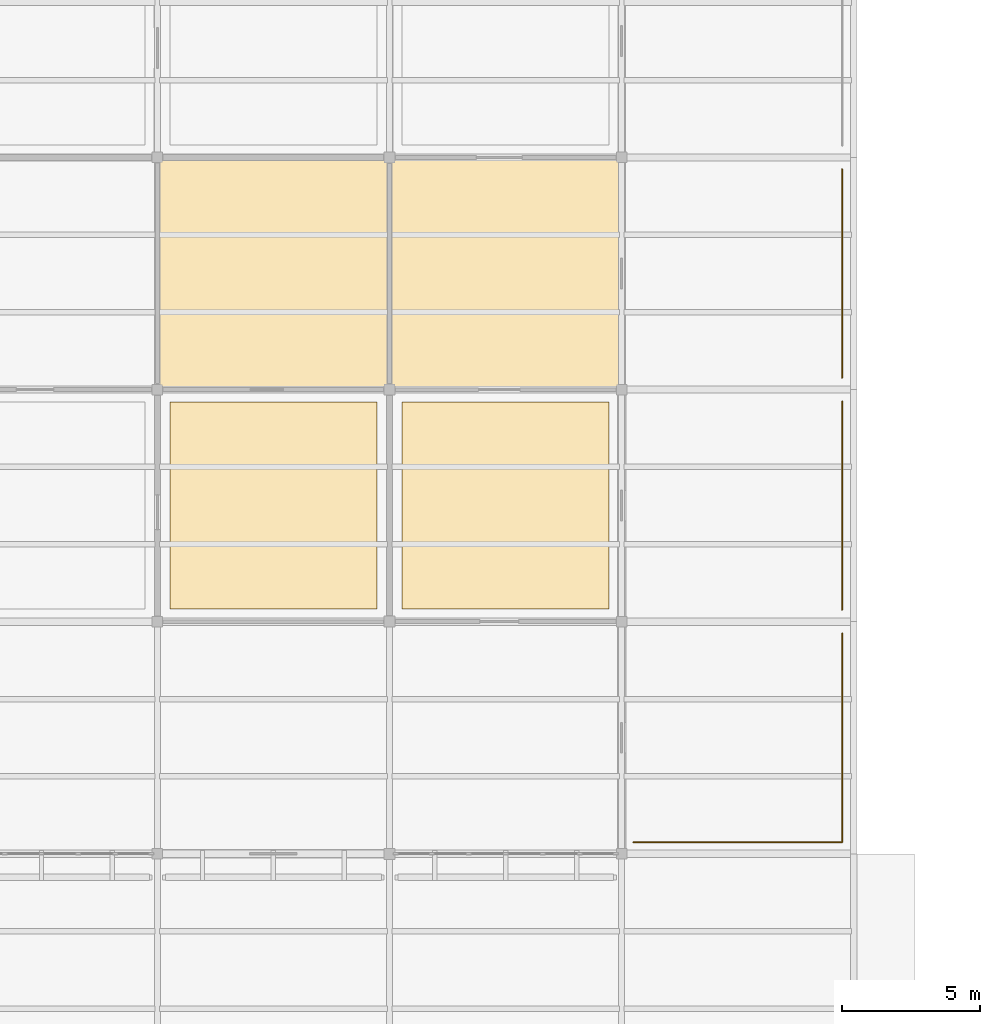
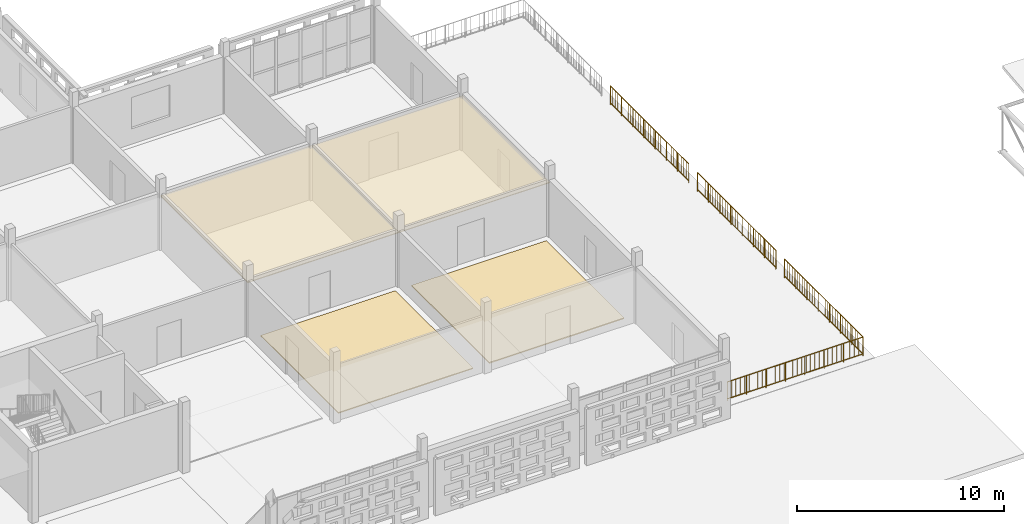
# One storey, part 100 of 140: 4 coverings, 4 railings.
"""IFC4 building model written with IfcOpenShell, lengths in metres."""

from ifc_helpers import new_model, si_unit, direction, frame, origin, origin_2d, place, context, subcontext, project, spatial, rectangle, circle, extrude, material, layer, layer_set, type_object, element, save


model = new_model("IFC4")

# Units and contexts
model_context = context("Model", 3, precision=1e-05, world=origin(), true_north=direction((0.0, 1.0)))
body_context = subcontext(model_context, "Body", "Model", "MODEL_VIEW")
ifc_project = project(units=[si_unit("LENGTHUNIT", "METRE"), si_unit("AREAUNIT", "SQUARE_METRE"), si_unit("VOLUMEUNIT", "CUBIC_METRE"), si_unit("PLANEANGLEUNIT", "RADIAN"), si_unit("MASSUNIT", "GRAM", prefix="KILO")], contexts=[model_context])

# Site, building, storey
site_placement = place(None, origin())
site = spatial("IfcSite", under=ifc_project, at=site_placement, CompositionType="ELEMENT")
building_placement = place(site_placement, origin())
building = spatial("IfcBuilding", under=site, at=building_placement, Name="Varnapada Polytechnic", CompositionType="ELEMENT")
storey_placement = place(building_placement, frame((0.0, 0.0, 13.800048828125)))
storey = spatial("IfcBuildingStorey", under=building, at=storey_placement, Name="L03", CompositionType="ELEMENT", Elevation=13.800048828125)

# Coverings
ifc_material_1 = material(Name="Anti-Static Raised Laboratory Flooring")
ifc_layer_1 = layer(ifc_material_1, 0.06005859375)
ifc_layer_set_1 = layer_set([ifc_layer_1], Name="Anti-Static Raised Laboratory Flooring")
covering_type_1 = type_object("IfcCoveringType", Name="Floor Finish FLR-02", PredefinedType="FLOORING", material=ifc_layer_set_1)
covering_1_placement = place(storey_placement, frame((46.199951171875, 21.0, 0.0), z_axis=(0.0, 0.0, 1.0), x_axis=(1.0, 0.0, 0.0)))
element("IfcCovering", 1, at=covering_1_placement, inside=storey, type_object=covering_type_1, Name="L03 floor finish panel (6,3)", PredefinedType="FLOORING", context=body_context, shape_type="SweptSolid", body=[
    extrude(rectangle(XDim=7.5, YDim=7.5, at=origin_2d()), origin(), (0.0, 0.0, 1.0), 0.06005859375),
])
ifc_material_2 = material(Name="End-Grain Timber Studio Block Flooring", Category="wood")
ifc_layer_2 = layer(ifc_material_2, 0.054931640625)
ifc_layer_set_2 = layer_set([ifc_layer_2], Name="End-Grain Timber Studio Block Flooring")
covering_type_2 = type_object("IfcCoveringType", Name="Floor Finish FLR-04", PredefinedType="FLOORING", material=ifc_layer_set_2)
covering_2_placement = place(storey_placement, frame((37.800048828125, 21.0, 0.0), z_axis=(0.0, 0.0, 1.0), x_axis=(1.0, 0.0, 0.0)))
element("IfcCovering", 2, at=covering_2_placement, inside=storey, type_object=covering_type_2, Name="L03 floor finish panel (5,3)", PredefinedType="FLOORING", context=body_context, shape_type="SweptSolid", body=[
    extrude(rectangle(XDim=7.5, YDim=7.5, at=origin_2d()), origin(), (0.0, 0.0, 1.0), 0.054931640625),
])
ifc_material_3 = material(Name="Mineral Fibre Acoustic Ceiling Tile")
ifc_layer_3 = layer(ifc_material_3, 0.0400390625)
ifc_layer_set_3 = layer_set([ifc_layer_3], Name="Mineral Fibre Acoustic Ceiling Tile")
covering_type_3 = type_object("IfcCoveringType", Name="Suspended Ceiling CLG-01", PredefinedType="CEILING", material=ifc_layer_set_3)
covering_3_placement = place(storey_placement, frame((46.199951171875, 29.39990234375, 3.030029296875), z_axis=(0.0, 0.0, 1.0), x_axis=(1.0, 0.0, 0.0)))
element("IfcCovering", 3, at=covering_3_placement, inside=storey, type_object=covering_type_3, Name="L03 suspended acoustic ceiling (6,4)", PredefinedType="CEILING", context=body_context, shape_type="SweptSolid", body=[
    extrude(rectangle(XDim=8.419921875, YDim=8.419921875, at=origin_2d()), origin(), (0.0, 0.0, 1.0), 0.0400390625),
])
ifc_material_4 = material(Name="Micro-Perforated Gypsum Acoustic Ceiling")
ifc_layer_4 = layer(ifc_material_4, 0.044921875)
ifc_layer_set_4 = layer_set([ifc_layer_4], Name="Micro-Perforated Gypsum Acoustic Ceiling")
covering_type_4 = type_object("IfcCoveringType", Name="Suspended Ceiling CLG-04", PredefinedType="CEILING", material=ifc_layer_set_4)
covering_4_placement = place(storey_placement, frame((37.800048828125, 29.39990234375, 3.027587890625), z_axis=(0.0, 0.0, 1.0), x_axis=(1.0, 0.0, 0.0)))
element("IfcCovering", 4, at=covering_4_placement, inside=storey, type_object=covering_type_4, Name="L03 suspended acoustic ceiling (5,4)", PredefinedType="CEILING", context=body_context, shape_type="SweptSolid", body=[
    extrude(rectangle(XDim=8.419921875, YDim=8.419921875, at=origin_2d()), origin(), (0.0, 0.0, 1.0), 0.044921875),
])

# Railings
ifc_material_5 = material(Name="Painted galvanized steel", Category="steel")
railing_type = type_object("IfcRailingType", Name="Terrace Guard Rail GRD-01", PredefinedType="BALUSTRADE", material=ifc_material_5)
railing_1_placement = place(storey_placement, frame((50.820068359375, 8.820068359375, 0.0)))
element("IfcRailing", 5, at=railing_1_placement, inside=storey, type_object=railing_type, Name="L03 terrace perimeter guard rail 1", PredefinedType="BALUSTRADE", context=body_context, shape_type="SweptSolid", body=[
    extrude(circle(Radius=0.02392578125, at=origin_2d()), frame((0.0, 0.0, 1.09619140625), z_axis=(1.0, 0.0, 0.0), x_axis=(0.0, 1.0, 0.0)), (0.0, 0.0, 1.0), 7.559814453125),
    extrude(circle(Radius=0.02392578125, at=origin_2d()), frame((0.0, 0.0, 0.10009765625), z_axis=(1.0, 0.0, 0.0), x_axis=(0.0, 1.0, 0.0)), (0.0, 0.0, 1.0), 7.559814453125),
    extrude(circle(Radius=0.02099609375, at=origin_2d()), origin(), (0.0, 0.0, 1.0), 1.072021484375),
    extrude(circle(Radius=0.02099609375, at=origin_2d()), frame((1.080078125, 0.0, 0.0)), (0.0, 0.0, 1.0), 1.072021484375),
    extrude(circle(Radius=0.02099609375, at=origin_2d()), frame((2.159912109375, 0.0, 0.0)), (0.0, 0.0, 1.0), 1.072021484375),
    extrude(circle(Radius=0.02099609375, at=origin_2d()), frame((3.239990234375, 0.0, 0.0)), (0.0, 0.0, 1.0), 1.072021484375),
    extrude(circle(Radius=0.02099609375, at=origin_2d()), frame((4.31982421875, 0.0, 0.0)), (0.0, 0.0, 1.0), 1.072021484375),
    extrude(circle(Radius=0.02099609375, at=origin_2d()), frame((5.39990234375, 0.0, 0.0)), (0.0, 0.0, 1.0), 1.072021484375),
    extrude(circle(Radius=0.02099609375, at=origin_2d()), frame((6.479736328125, 0.0, 0.0)), (0.0, 0.0, 1.0), 1.072021484375),
    extrude(circle(Radius=0.02099609375, at=origin_2d()), frame((7.559814453125, 0.0, 0.0)), (0.0, 0.0, 1.0), 1.072021484375),
    extrude(circle(Radius=0.010009765625, at=origin_2d()), frame((0.243896484375, 0.0, 0.10009765625)), (0.0, 0.0, 1.0), 0.971923828125),
    extrude(circle(Radius=0.010009765625, at=origin_2d()), frame((0.48779296875, 0.0, 0.10009765625)), (0.0, 0.0, 1.0), 0.971923828125),
    extrude(circle(Radius=0.010009765625, at=origin_2d()), frame((0.731689453125, 0.0, 0.10009765625)), (0.0, 0.0, 1.0), 0.971923828125),
    extrude(circle(Radius=0.010009765625, at=origin_2d()), frame((0.975341796875, 0.0, 0.10009765625)), (0.0, 0.0, 1.0), 0.971923828125),
    extrude(circle(Radius=0.010009765625, at=origin_2d()), frame((1.21923828125, 0.0, 0.10009765625)), (0.0, 0.0, 1.0), 0.971923828125),
    extrude(circle(Radius=0.010009765625, at=origin_2d()), frame((1.463134765625, 0.0, 0.10009765625)), (0.0, 0.0, 1.0), 0.971923828125),
    extrude(circle(Radius=0.010009765625, at=origin_2d()), frame((1.70703125, 0.0, 0.10009765625)), (0.0, 0.0, 1.0), 0.971923828125),
    extrude(circle(Radius=0.010009765625, at=origin_2d()), frame((1.950927734375, 0.0, 0.10009765625)), (0.0, 0.0, 1.0), 0.971923828125),
    extrude(circle(Radius=0.010009765625, at=origin_2d()), frame((2.19482421875, 0.0, 0.10009765625)), (0.0, 0.0, 1.0), 0.971923828125),
    extrude(circle(Radius=0.010009765625, at=origin_2d()), frame((2.438720703125, 0.0, 0.10009765625)), (0.0, 0.0, 1.0), 0.971923828125),
    extrude(circle(Radius=0.010009765625, at=origin_2d()), frame((2.6826171875, 0.0, 0.10009765625)), (0.0, 0.0, 1.0), 0.971923828125),
    extrude(circle(Radius=0.010009765625, at=origin_2d()), frame((2.92626953125, 0.0, 0.10009765625)), (0.0, 0.0, 1.0), 0.971923828125),
    extrude(circle(Radius=0.010009765625, at=origin_2d()), frame((3.170166015625, 0.0, 0.10009765625)), (0.0, 0.0, 1.0), 0.971923828125),
    extrude(circle(Radius=0.010009765625, at=origin_2d()), frame((3.4140625, 0.0, 0.10009765625)), (0.0, 0.0, 1.0), 0.971923828125),
    extrude(circle(Radius=0.010009765625, at=origin_2d()), frame((3.657958984375, 0.0, 0.10009765625)), (0.0, 0.0, 1.0), 0.971923828125),
    extrude(circle(Radius=0.010009765625, at=origin_2d()), frame((3.90185546875, 0.0, 0.10009765625)), (0.0, 0.0, 1.0), 0.971923828125),
    extrude(circle(Radius=0.010009765625, at=origin_2d()), frame((4.145751953125, 0.0, 0.10009765625)), (0.0, 0.0, 1.0), 0.971923828125),
    extrude(circle(Radius=0.010009765625, at=origin_2d()), frame((4.3896484375, 0.0, 0.10009765625)), (0.0, 0.0, 1.0), 0.971923828125),
    extrude(circle(Radius=0.010009765625, at=origin_2d()), frame((4.633544921875, 0.0, 0.10009765625)), (0.0, 0.0, 1.0), 0.971923828125),
    extrude(circle(Radius=0.010009765625, at=origin_2d()), frame((4.877197265625, 0.0, 0.10009765625)), (0.0, 0.0, 1.0), 0.971923828125),
    extrude(circle(Radius=0.010009765625, at=origin_2d()), frame((5.12109375, 0.0, 0.10009765625)), (0.0, 0.0, 1.0), 0.971923828125),
    extrude(circle(Radius=0.010009765625, at=origin_2d()), frame((5.364990234375, 0.0, 0.10009765625)), (0.0, 0.0, 1.0), 0.971923828125),
    extrude(circle(Radius=0.010009765625, at=origin_2d()), frame((5.60888671875, 0.0, 0.10009765625)), (0.0, 0.0, 1.0), 0.971923828125),
    extrude(circle(Radius=0.010009765625, at=origin_2d()), frame((5.852783203125, 0.0, 0.10009765625)), (0.0, 0.0, 1.0), 0.971923828125),
    extrude(circle(Radius=0.010009765625, at=origin_2d()), frame((6.0966796875, 0.0, 0.10009765625)), (0.0, 0.0, 1.0), 0.971923828125),
    extrude(circle(Radius=0.010009765625, at=origin_2d()), frame((6.340576171875, 0.0, 0.10009765625)), (0.0, 0.0, 1.0), 0.971923828125),
    extrude(circle(Radius=0.010009765625, at=origin_2d()), frame((6.58447265625, 0.0, 0.10009765625)), (0.0, 0.0, 1.0), 0.971923828125),
    extrude(circle(Radius=0.010009765625, at=origin_2d()), frame((6.828125, 0.0, 0.10009765625)), (0.0, 0.0, 1.0), 0.971923828125),
    extrude(circle(Radius=0.010009765625, at=origin_2d()), frame((7.072021484375, 0.0, 0.10009765625)), (0.0, 0.0, 1.0), 0.971923828125),
    extrude(circle(Radius=0.010009765625, at=origin_2d()), frame((7.31591796875, 0.0, 0.10009765625)), (0.0, 0.0, 1.0), 0.971923828125),
])
railing_2_placement = place(storey_placement, frame((58.3798828125, 8.820068359375, 0.0)))
element("IfcRailing", 6, at=railing_2_placement, inside=storey, type_object=railing_type, Name="L03 terrace perimeter guard rail 2", PredefinedType="BALUSTRADE", context=body_context, shape_type="SweptSolid", body=[
    extrude(circle(Radius=0.02392578125, at=origin_2d()), frame((0.0, 0.0, 1.09619140625), z_axis=(0.0, 1.0, 0.0), x_axis=(-1.0, 0.0, 0.0)), (0.0, 0.0, 1.0), 7.559814453125),
    extrude(circle(Radius=0.02392578125, at=origin_2d()), frame((0.0, 0.0, 0.10009765625), z_axis=(0.0, 1.0, 0.0), x_axis=(-1.0, 0.0, 0.0)), (0.0, 0.0, 1.0), 7.559814453125),
    extrude(circle(Radius=0.02099609375, at=origin_2d()), origin(), (0.0, 0.0, 1.0), 1.072021484375),
    extrude(circle(Radius=0.02099609375, at=origin_2d()), frame((0.0, 1.080078125, 0.0)), (0.0, 0.0, 1.0), 1.072021484375),
    extrude(circle(Radius=0.02099609375, at=origin_2d()), frame((0.0, 2.159912109375, 0.0)), (0.0, 0.0, 1.0), 1.072021484375),
    extrude(circle(Radius=0.02099609375, at=origin_2d()), frame((0.0, 3.239990234375, 0.0)), (0.0, 0.0, 1.0), 1.072021484375),
    extrude(circle(Radius=0.02099609375, at=origin_2d()), frame((0.0, 4.31982421875, 0.0)), (0.0, 0.0, 1.0), 1.072021484375),
    extrude(circle(Radius=0.02099609375, at=origin_2d()), frame((0.0, 5.39990234375, 0.0)), (0.0, 0.0, 1.0), 1.072021484375),
    extrude(circle(Radius=0.02099609375, at=origin_2d()), frame((0.0, 6.479736328125, 0.0)), (0.0, 0.0, 1.0), 1.072021484375),
    extrude(circle(Radius=0.02099609375, at=origin_2d()), frame((0.0, 7.559814453125, 0.0)), (0.0, 0.0, 1.0), 1.072021484375),
    extrude(circle(Radius=0.010009765625, at=origin_2d()), frame((0.0, 0.243896484375, 0.10009765625)), (0.0, 0.0, 1.0), 0.971923828125),
    extrude(circle(Radius=0.010009765625, at=origin_2d()), frame((0.0, 0.48779296875, 0.10009765625)), (0.0, 0.0, 1.0), 0.971923828125),
    extrude(circle(Radius=0.010009765625, at=origin_2d()), frame((0.0, 0.731689453125, 0.10009765625)), (0.0, 0.0, 1.0), 0.971923828125),
    extrude(circle(Radius=0.010009765625, at=origin_2d()), frame((0.0, 0.975341796875, 0.10009765625)), (0.0, 0.0, 1.0), 0.971923828125),
    extrude(circle(Radius=0.010009765625, at=origin_2d()), frame((0.0, 1.21923828125, 0.10009765625)), (0.0, 0.0, 1.0), 0.971923828125),
    extrude(circle(Radius=0.010009765625, at=origin_2d()), frame((0.0, 1.463134765625, 0.10009765625)), (0.0, 0.0, 1.0), 0.971923828125),
    extrude(circle(Radius=0.010009765625, at=origin_2d()), frame((0.0, 1.70703125, 0.10009765625)), (0.0, 0.0, 1.0), 0.971923828125),
    extrude(circle(Radius=0.010009765625, at=origin_2d()), frame((0.0, 1.950927734375, 0.10009765625)), (0.0, 0.0, 1.0), 0.971923828125),
    extrude(circle(Radius=0.010009765625, at=origin_2d()), frame((0.0, 2.19482421875, 0.10009765625)), (0.0, 0.0, 1.0), 0.971923828125),
    extrude(circle(Radius=0.010009765625, at=origin_2d()), frame((0.0, 2.438720703125, 0.10009765625)), (0.0, 0.0, 1.0), 0.971923828125),
    extrude(circle(Radius=0.010009765625, at=origin_2d()), frame((0.0, 2.6826171875, 0.10009765625)), (0.0, 0.0, 1.0), 0.971923828125),
    extrude(circle(Radius=0.010009765625, at=origin_2d()), frame((0.0, 2.92626953125, 0.10009765625)), (0.0, 0.0, 1.0), 0.971923828125),
    extrude(circle(Radius=0.010009765625, at=origin_2d()), frame((0.0, 3.170166015625, 0.10009765625)), (0.0, 0.0, 1.0), 0.971923828125),
    extrude(circle(Radius=0.010009765625, at=origin_2d()), frame((0.0, 3.4140625, 0.10009765625)), (0.0, 0.0, 1.0), 0.971923828125),
    extrude(circle(Radius=0.010009765625, at=origin_2d()), frame((0.0, 3.657958984375, 0.10009765625)), (0.0, 0.0, 1.0), 0.971923828125),
    extrude(circle(Radius=0.010009765625, at=origin_2d()), frame((0.0, 3.90185546875, 0.10009765625)), (0.0, 0.0, 1.0), 0.971923828125),
    extrude(circle(Radius=0.010009765625, at=origin_2d()), frame((0.0, 4.145751953125, 0.10009765625)), (0.0, 0.0, 1.0), 0.971923828125),
    extrude(circle(Radius=0.010009765625, at=origin_2d()), frame((0.0, 4.3896484375, 0.10009765625)), (0.0, 0.0, 1.0), 0.971923828125),
    extrude(circle(Radius=0.010009765625, at=origin_2d()), frame((0.0, 4.633544921875, 0.10009765625)), (0.0, 0.0, 1.0), 0.971923828125),
    extrude(circle(Radius=0.010009765625, at=origin_2d()), frame((0.0, 4.877197265625, 0.10009765625)), (0.0, 0.0, 1.0), 0.971923828125),
    extrude(circle(Radius=0.010009765625, at=origin_2d()), frame((0.0, 5.12109375, 0.10009765625)), (0.0, 0.0, 1.0), 0.971923828125),
    extrude(circle(Radius=0.010009765625, at=origin_2d()), frame((0.0, 5.364990234375, 0.10009765625)), (0.0, 0.0, 1.0), 0.971923828125),
    extrude(circle(Radius=0.010009765625, at=origin_2d()), frame((0.0, 5.60888671875, 0.10009765625)), (0.0, 0.0, 1.0), 0.971923828125),
    extrude(circle(Radius=0.010009765625, at=origin_2d()), frame((0.0, 5.852783203125, 0.10009765625)), (0.0, 0.0, 1.0), 0.971923828125),
    extrude(circle(Radius=0.010009765625, at=origin_2d()), frame((0.0, 6.0966796875, 0.10009765625)), (0.0, 0.0, 1.0), 0.971923828125),
    extrude(circle(Radius=0.010009765625, at=origin_2d()), frame((0.0, 6.340576171875, 0.10009765625)), (0.0, 0.0, 1.0), 0.971923828125),
    extrude(circle(Radius=0.010009765625, at=origin_2d()), frame((0.0, 6.58447265625, 0.10009765625)), (0.0, 0.0, 1.0), 0.971923828125),
    extrude(circle(Radius=0.010009765625, at=origin_2d()), frame((0.0, 6.828125, 0.10009765625)), (0.0, 0.0, 1.0), 0.971923828125),
    extrude(circle(Radius=0.010009765625, at=origin_2d()), frame((0.0, 7.072021484375, 0.10009765625)), (0.0, 0.0, 1.0), 0.971923828125),
    extrude(circle(Radius=0.010009765625, at=origin_2d()), frame((0.0, 7.31591796875, 0.10009765625)), (0.0, 0.0, 1.0), 0.971923828125),
])
railing_3_placement = place(storey_placement, frame((58.3798828125, 17.219970703125, 0.0)))
element("IfcRailing", 7, at=railing_3_placement, inside=storey, type_object=railing_type, Name="L03 terrace perimeter guard rail 3", PredefinedType="BALUSTRADE", context=body_context, shape_type="SweptSolid", body=[
    extrude(circle(Radius=0.02392578125, at=origin_2d()), frame((0.0, 0.0, 1.09619140625), z_axis=(0.0, 1.0, 0.0), x_axis=(-1.0, 0.0, 0.0)), (0.0, 0.0, 1.0), 7.56005859375),
    extrude(circle(Radius=0.02392578125, at=origin_2d()), frame((0.0, 0.0, 0.10009765625), z_axis=(0.0, 1.0, 0.0), x_axis=(-1.0, 0.0, 0.0)), (0.0, 0.0, 1.0), 7.56005859375),
    extrude(circle(Radius=0.02099609375, at=origin_2d()), origin(), (0.0, 0.0, 1.0), 1.072021484375),
    extrude(circle(Radius=0.02099609375, at=origin_2d()), frame((0.0, 1.080078125, 0.0)), (0.0, 0.0, 1.0), 1.072021484375),
    extrude(circle(Radius=0.02099609375, at=origin_2d()), frame((0.0, 2.159912109375, 0.0)), (0.0, 0.0, 1.0), 1.072021484375),
    extrude(circle(Radius=0.02099609375, at=origin_2d()), frame((0.0, 3.239990234375, 0.0)), (0.0, 0.0, 1.0), 1.072021484375),
    extrude(circle(Radius=0.02099609375, at=origin_2d()), frame((0.0, 4.320068359375, 0.0)), (0.0, 0.0, 1.0), 1.072021484375),
    extrude(circle(Radius=0.02099609375, at=origin_2d()), frame((0.0, 5.400146484375, 0.0)), (0.0, 0.0, 1.0), 1.072021484375),
    extrude(circle(Radius=0.02099609375, at=origin_2d()), frame((0.0, 6.47998046875, 0.0)), (0.0, 0.0, 1.0), 1.072021484375),
    extrude(circle(Radius=0.02099609375, at=origin_2d()), frame((0.0, 7.56005859375, 0.0)), (0.0, 0.0, 1.0), 1.072021484375),
    extrude(circle(Radius=0.010009765625, at=origin_2d()), frame((0.0, 0.243896484375, 0.10009765625)), (0.0, 0.0, 1.0), 0.971923828125),
    extrude(circle(Radius=0.010009765625, at=origin_2d()), frame((0.0, 0.48779296875, 0.10009765625)), (0.0, 0.0, 1.0), 0.971923828125),
    extrude(circle(Radius=0.010009765625, at=origin_2d()), frame((0.0, 0.731689453125, 0.10009765625)), (0.0, 0.0, 1.0), 0.971923828125),
    extrude(circle(Radius=0.010009765625, at=origin_2d()), frame((0.0, 0.9755859375, 0.10009765625)), (0.0, 0.0, 1.0), 0.971923828125),
    extrude(circle(Radius=0.010009765625, at=origin_2d()), frame((0.0, 1.219482421875, 0.10009765625)), (0.0, 0.0, 1.0), 0.971923828125),
    extrude(circle(Radius=0.010009765625, at=origin_2d()), frame((0.0, 1.463134765625, 0.10009765625)), (0.0, 0.0, 1.0), 0.971923828125),
    extrude(circle(Radius=0.010009765625, at=origin_2d()), frame((0.0, 1.70703125, 0.10009765625)), (0.0, 0.0, 1.0), 0.971923828125),
    extrude(circle(Radius=0.010009765625, at=origin_2d()), frame((0.0, 1.950927734375, 0.10009765625)), (0.0, 0.0, 1.0), 0.971923828125),
    extrude(circle(Radius=0.010009765625, at=origin_2d()), frame((0.0, 2.19482421875, 0.10009765625)), (0.0, 0.0, 1.0), 0.971923828125),
    extrude(circle(Radius=0.010009765625, at=origin_2d()), frame((0.0, 2.438720703125, 0.10009765625)), (0.0, 0.0, 1.0), 0.971923828125),
    extrude(circle(Radius=0.010009765625, at=origin_2d()), frame((0.0, 2.6826171875, 0.10009765625)), (0.0, 0.0, 1.0), 0.971923828125),
    extrude(circle(Radius=0.010009765625, at=origin_2d()), frame((0.0, 2.926513671875, 0.10009765625)), (0.0, 0.0, 1.0), 0.971923828125),
    extrude(circle(Radius=0.010009765625, at=origin_2d()), frame((0.0, 3.17041015625, 0.10009765625)), (0.0, 0.0, 1.0), 0.971923828125),
    extrude(circle(Radius=0.010009765625, at=origin_2d()), frame((0.0, 3.414306640625, 0.10009765625)), (0.0, 0.0, 1.0), 0.971923828125),
    extrude(circle(Radius=0.010009765625, at=origin_2d()), frame((0.0, 3.658203125, 0.10009765625)), (0.0, 0.0, 1.0), 0.971923828125),
    extrude(circle(Radius=0.010009765625, at=origin_2d()), frame((0.0, 3.90185546875, 0.10009765625)), (0.0, 0.0, 1.0), 0.971923828125),
    extrude(circle(Radius=0.010009765625, at=origin_2d()), frame((0.0, 4.145751953125, 0.10009765625)), (0.0, 0.0, 1.0), 0.971923828125),
    extrude(circle(Radius=0.010009765625, at=origin_2d()), frame((0.0, 4.3896484375, 0.10009765625)), (0.0, 0.0, 1.0), 0.971923828125),
    extrude(circle(Radius=0.010009765625, at=origin_2d()), frame((0.0, 4.633544921875, 0.10009765625)), (0.0, 0.0, 1.0), 0.971923828125),
    extrude(circle(Radius=0.010009765625, at=origin_2d()), frame((0.0, 4.87744140625, 0.10009765625)), (0.0, 0.0, 1.0), 0.971923828125),
    extrude(circle(Radius=0.010009765625, at=origin_2d()), frame((0.0, 5.121337890625, 0.10009765625)), (0.0, 0.0, 1.0), 0.971923828125),
    extrude(circle(Radius=0.010009765625, at=origin_2d()), frame((0.0, 5.365234375, 0.10009765625)), (0.0, 0.0, 1.0), 0.971923828125),
    extrude(circle(Radius=0.010009765625, at=origin_2d()), frame((0.0, 5.609130859375, 0.10009765625)), (0.0, 0.0, 1.0), 0.971923828125),
    extrude(circle(Radius=0.010009765625, at=origin_2d()), frame((0.0, 5.85302734375, 0.10009765625)), (0.0, 0.0, 1.0), 0.971923828125),
    extrude(circle(Radius=0.010009765625, at=origin_2d()), frame((0.0, 6.096923828125, 0.10009765625)), (0.0, 0.0, 1.0), 0.971923828125),
    extrude(circle(Radius=0.010009765625, at=origin_2d()), frame((0.0, 6.340576171875, 0.10009765625)), (0.0, 0.0, 1.0), 0.971923828125),
    extrude(circle(Radius=0.010009765625, at=origin_2d()), frame((0.0, 6.58447265625, 0.10009765625)), (0.0, 0.0, 1.0), 0.971923828125),
    extrude(circle(Radius=0.010009765625, at=origin_2d()), frame((0.0, 6.828369140625, 0.10009765625)), (0.0, 0.0, 1.0), 0.971923828125),
    extrude(circle(Radius=0.010009765625, at=origin_2d()), frame((0.0, 7.072265625, 0.10009765625)), (0.0, 0.0, 1.0), 0.971923828125),
    extrude(circle(Radius=0.010009765625, at=origin_2d()), frame((0.0, 7.316162109375, 0.10009765625)), (0.0, 0.0, 1.0), 0.971923828125),
])
railing_4_placement = place(storey_placement, frame((58.3798828125, 25.6201171875, 0.0)))
element("IfcRailing", 8, at=railing_4_placement, inside=storey, type_object=railing_type, Name="L03 terrace perimeter guard rail 4", PredefinedType="BALUSTRADE", context=body_context, shape_type="SweptSolid", body=[
    extrude(circle(Radius=0.02392578125, at=origin_2d()), frame((0.0, 0.0, 1.09619140625), z_axis=(0.0, 1.0, 0.0), x_axis=(-1.0, 0.0, 0.0)), (0.0, 0.0, 1.0), 7.559814453125),
    extrude(circle(Radius=0.02392578125, at=origin_2d()), frame((0.0, 0.0, 0.10009765625), z_axis=(0.0, 1.0, 0.0), x_axis=(-1.0, 0.0, 0.0)), (0.0, 0.0, 1.0), 7.559814453125),
    extrude(circle(Radius=0.02099609375, at=origin_2d()), origin(), (0.0, 0.0, 1.0), 1.072021484375),
    extrude(circle(Radius=0.02099609375, at=origin_2d()), frame((0.0, 1.080078125, 0.0)), (0.0, 0.0, 1.0), 1.072021484375),
    extrude(circle(Radius=0.02099609375, at=origin_2d()), frame((0.0, 2.159912109375, 0.0)), (0.0, 0.0, 1.0), 1.072021484375),
    extrude(circle(Radius=0.02099609375, at=origin_2d()), frame((0.0, 3.239990234375, 0.0)), (0.0, 0.0, 1.0), 1.072021484375),
    extrude(circle(Radius=0.02099609375, at=origin_2d()), frame((0.0, 4.31982421875, 0.0)), (0.0, 0.0, 1.0), 1.072021484375),
    extrude(circle(Radius=0.02099609375, at=origin_2d()), frame((0.0, 5.39990234375, 0.0)), (0.0, 0.0, 1.0), 1.072021484375),
    extrude(circle(Radius=0.02099609375, at=origin_2d()), frame((0.0, 6.479736328125, 0.0)), (0.0, 0.0, 1.0), 1.072021484375),
    extrude(circle(Radius=0.02099609375, at=origin_2d()), frame((0.0, 7.559814453125, 0.0)), (0.0, 0.0, 1.0), 1.072021484375),
    extrude(circle(Radius=0.010009765625, at=origin_2d()), frame((0.0, 0.243896484375, 0.10009765625)), (0.0, 0.0, 1.0), 0.971923828125),
    extrude(circle(Radius=0.010009765625, at=origin_2d()), frame((0.0, 0.48779296875, 0.10009765625)), (0.0, 0.0, 1.0), 0.971923828125),
    extrude(circle(Radius=0.010009765625, at=origin_2d()), frame((0.0, 0.731689453125, 0.10009765625)), (0.0, 0.0, 1.0), 0.971923828125),
    extrude(circle(Radius=0.010009765625, at=origin_2d()), frame((0.0, 0.975341796875, 0.10009765625)), (0.0, 0.0, 1.0), 0.971923828125),
    extrude(circle(Radius=0.010009765625, at=origin_2d()), frame((0.0, 1.21923828125, 0.10009765625)), (0.0, 0.0, 1.0), 0.971923828125),
    extrude(circle(Radius=0.010009765625, at=origin_2d()), frame((0.0, 1.463134765625, 0.10009765625)), (0.0, 0.0, 1.0), 0.971923828125),
    extrude(circle(Radius=0.010009765625, at=origin_2d()), frame((0.0, 1.70703125, 0.10009765625)), (0.0, 0.0, 1.0), 0.971923828125),
    extrude(circle(Radius=0.010009765625, at=origin_2d()), frame((0.0, 1.950927734375, 0.10009765625)), (0.0, 0.0, 1.0), 0.971923828125),
    extrude(circle(Radius=0.010009765625, at=origin_2d()), frame((0.0, 2.19482421875, 0.10009765625)), (0.0, 0.0, 1.0), 0.971923828125),
    extrude(circle(Radius=0.010009765625, at=origin_2d()), frame((0.0, 2.438720703125, 0.10009765625)), (0.0, 0.0, 1.0), 0.971923828125),
    extrude(circle(Radius=0.010009765625, at=origin_2d()), frame((0.0, 2.6826171875, 0.10009765625)), (0.0, 0.0, 1.0), 0.971923828125),
    extrude(circle(Radius=0.010009765625, at=origin_2d()), frame((0.0, 2.92626953125, 0.10009765625)), (0.0, 0.0, 1.0), 0.971923828125),
    extrude(circle(Radius=0.010009765625, at=origin_2d()), frame((0.0, 3.170166015625, 0.10009765625)), (0.0, 0.0, 1.0), 0.971923828125),
    extrude(circle(Radius=0.010009765625, at=origin_2d()), frame((0.0, 3.4140625, 0.10009765625)), (0.0, 0.0, 1.0), 0.971923828125),
    extrude(circle(Radius=0.010009765625, at=origin_2d()), frame((0.0, 3.657958984375, 0.10009765625)), (0.0, 0.0, 1.0), 0.971923828125),
    extrude(circle(Radius=0.010009765625, at=origin_2d()), frame((0.0, 3.90185546875, 0.10009765625)), (0.0, 0.0, 1.0), 0.971923828125),
    extrude(circle(Radius=0.010009765625, at=origin_2d()), frame((0.0, 4.145751953125, 0.10009765625)), (0.0, 0.0, 1.0), 0.971923828125),
    extrude(circle(Radius=0.010009765625, at=origin_2d()), frame((0.0, 4.3896484375, 0.10009765625)), (0.0, 0.0, 1.0), 0.971923828125),
    extrude(circle(Radius=0.010009765625, at=origin_2d()), frame((0.0, 4.633544921875, 0.10009765625)), (0.0, 0.0, 1.0), 0.971923828125),
    extrude(circle(Radius=0.010009765625, at=origin_2d()), frame((0.0, 4.877197265625, 0.10009765625)), (0.0, 0.0, 1.0), 0.971923828125),
    extrude(circle(Radius=0.010009765625, at=origin_2d()), frame((0.0, 5.12109375, 0.10009765625)), (0.0, 0.0, 1.0), 0.971923828125),
    extrude(circle(Radius=0.010009765625, at=origin_2d()), frame((0.0, 5.364990234375, 0.10009765625)), (0.0, 0.0, 1.0), 0.971923828125),
    extrude(circle(Radius=0.010009765625, at=origin_2d()), frame((0.0, 5.60888671875, 0.10009765625)), (0.0, 0.0, 1.0), 0.971923828125),
    extrude(circle(Radius=0.010009765625, at=origin_2d()), frame((0.0, 5.852783203125, 0.10009765625)), (0.0, 0.0, 1.0), 0.971923828125),
    extrude(circle(Radius=0.010009765625, at=origin_2d()), frame((0.0, 6.0966796875, 0.10009765625)), (0.0, 0.0, 1.0), 0.971923828125),
    extrude(circle(Radius=0.010009765625, at=origin_2d()), frame((0.0, 6.340576171875, 0.10009765625)), (0.0, 0.0, 1.0), 0.971923828125),
    extrude(circle(Radius=0.010009765625, at=origin_2d()), frame((0.0, 6.58447265625, 0.10009765625)), (0.0, 0.0, 1.0), 0.971923828125),
    extrude(circle(Radius=0.010009765625, at=origin_2d()), frame((0.0, 6.828125, 0.10009765625)), (0.0, 0.0, 1.0), 0.971923828125),
    extrude(circle(Radius=0.010009765625, at=origin_2d()), frame((0.0, 7.072021484375, 0.10009765625)), (0.0, 0.0, 1.0), 0.971923828125),
    extrude(circle(Radius=0.010009765625, at=origin_2d()), frame((0.0, 7.31591796875, 0.10009765625)), (0.0, 0.0, 1.0), 0.971923828125),
])

save(model, "model.ifc")
